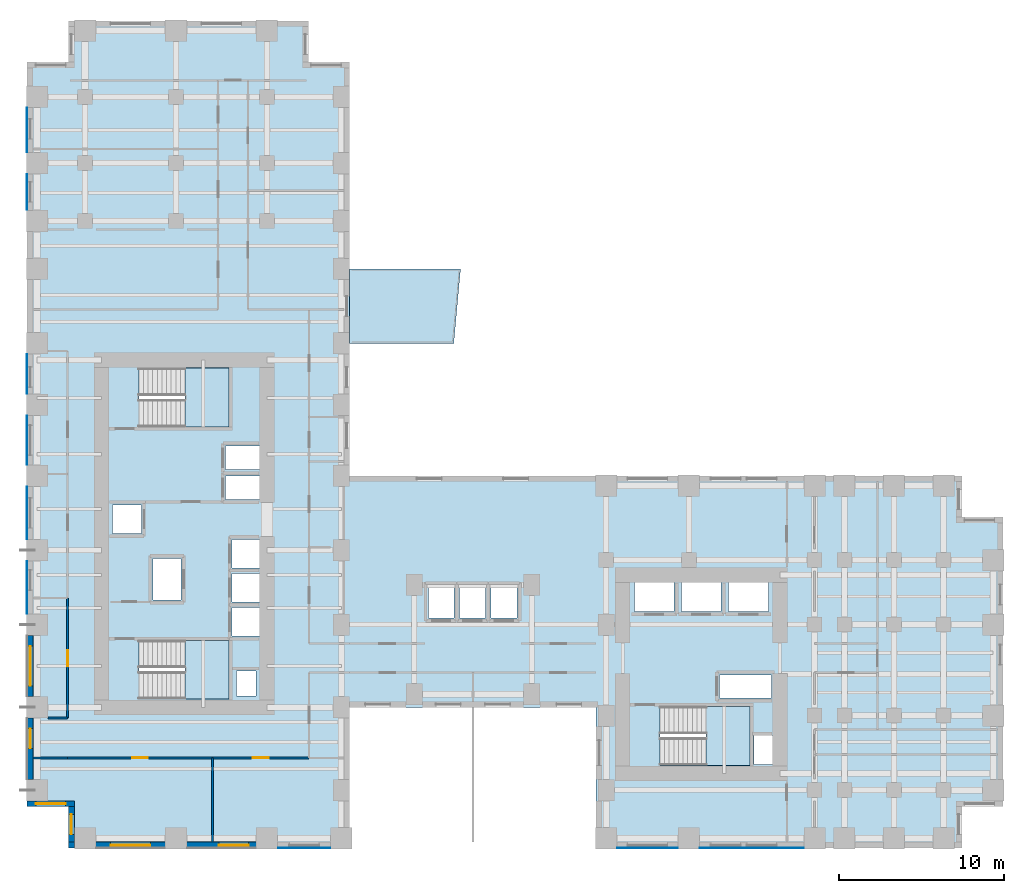
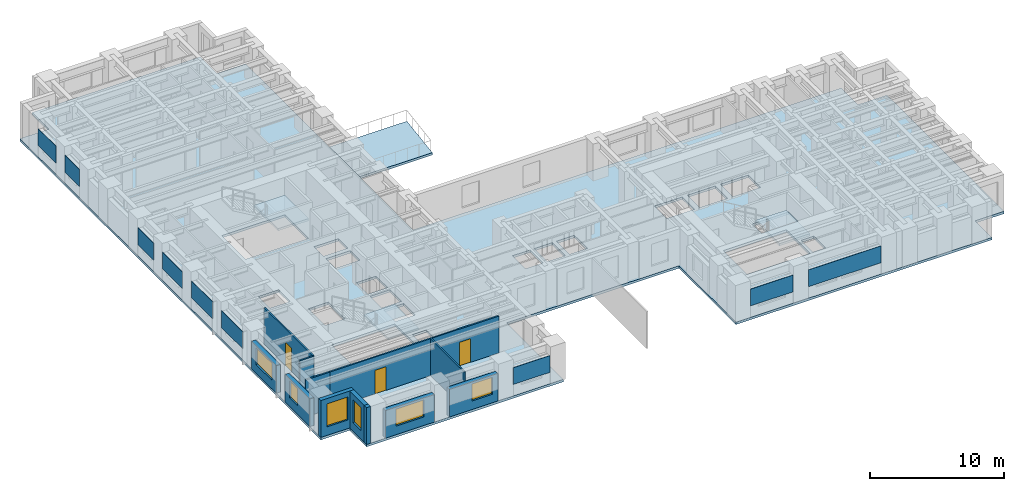
# One storey, part 3 of 12: 13 walls, 9 plates, 6 windows, 5 slabs, 3 doors, 9 openings, 3 elements without a shape of their own.
"""IFC4 building model written with IfcOpenShell, lengths in metres."""

from ifc_helpers import new_model, si_unit, direction, frame, frame_2d, origin, origin_2d, place, context, subcontext, project, spatial, polyline, rectangle, outline, extrude, source, transform, mapped, material, layer, layer_set, type_object, element, fill, aggregate, save


model = new_model("IFC4")

# Units and contexts
model_context = context("Model", 3, precision=1e-05, world=origin(), true_north=direction((0.0, 1.0)))
body_context = subcontext(model_context, "Body", "Model", "MODEL_VIEW")
ifc_project = project(units=[si_unit("LENGTHUNIT", "METRE"), si_unit("AREAUNIT", "SQUARE_METRE"), si_unit("VOLUMEUNIT", "CUBIC_METRE"), si_unit("PLANEANGLEUNIT", "RADIAN"), si_unit("MASSUNIT", "GRAM", prefix="KILO")], contexts=[model_context])

# Site, building, storey
site_placement = place(None, origin())
site = spatial("IfcSite", under=ifc_project, at=site_placement, CompositionType="ELEMENT")
building_placement = place(site_placement, origin())
building = spatial("IfcBuilding", under=site, at=building_placement, Name="Kharzan Plaza Tower", CompositionType="ELEMENT")
storey_placement = place(building_placement, frame((0.0, 0.0, 26.10009765625)))
storey = spatial("IfcBuildingStorey", under=building, at=storey_placement, Name="L06", CompositionType="ELEMENT", Elevation=26.10009765625)

# Slab
ifc_material_1 = material(Name="Concrete C40/50", Category="concrete")
ifc_layer_1 = layer(ifc_material_1, 0.219970703125)
ifc_layer_set_1 = layer_set([ifc_layer_1], Name="Concrete C40/50")
slab_type_1 = type_object("IfcSlabType", Name="SL-FLOOR-220", PredefinedType="FLOOR", material=ifc_layer_set_1)
slab_1_placement = place(storey_placement, frame((0.0, 0.0, -0.22021484375)))
element("IfcSlab", 1, at=slab_1_placement, inside=storey, type_object=slab_type_1, Name="L06 Composite Structural Floor Slab 220 mm", PredefinedType="FLOOR", context=body_context, shape_type="SweptSolid", body=[
    extrude(outline(polyline([(34.39990234375, 22.5), (19.5, 22.5), (19.5, 47.5), (17.0, 47.5), (17.0, 50.0), (2.5, 50.0), (2.5, 47.5), (0.0, 47.5), (0.0, 2.5), (2.5, 2.5), (2.5, 0.0), (19.5, 0.0), (19.5, 8.5), (34.39990234375, 8.5), (34.39990234375, 0.0), (56.5, 0.0), (56.5, 2.5), (59.0, 2.5), (59.0, 20.0), (56.5, 20.0), (56.5, 22.5), (34.39990234375, 22.5)]), holes=[polyline([(13.85009765625, 9.199951171875), (13.85009765625, 10.699951171875), (12.64990234375, 10.699951171875), (12.64990234375, 9.199951171875), (13.85009765625, 9.199951171875)]), polyline([(12.199951171875, 9.0), (12.199951171875, 12.550048828125), (6.75, 12.550048828125), (6.75, 9.0), (12.199951171875, 9.0)]), polyline([(14.10009765625, 12.800048828125), (14.10009765625, 14.530029296875), (12.39990234375, 14.530029296875), (12.39990234375, 12.800048828125), (14.10009765625, 12.800048828125)]), polyline([(14.10009765625, 14.8701171875), (14.10009765625, 16.60009765625), (12.39990234375, 16.60009765625), (12.39990234375, 14.8701171875), (14.10009765625, 14.8701171875)]), polyline([(9.300048828125, 15.0), (9.300048828125, 17.5), (7.60009765625, 17.5), (7.60009765625, 15.0), (9.300048828125, 15.0)]), polyline([(14.10009765625, 16.93994140625), (14.10009765625, 18.64990234375), (12.39990234375, 18.64990234375), (12.39990234375, 16.93994140625), (14.10009765625, 16.93994140625)]), polyline([(6.89990234375, 19.010009765625), (6.89990234375, 20.72998046875), (5.14990234375, 20.72998046875), (5.14990234375, 19.010009765625), (6.89990234375, 19.010009765625)]), polyline([(12.0, 21.070068359375), (14.10009765625, 21.070068359375), (14.10009765625, 22.489990234375), (12.0, 22.489990234375), (12.0, 21.070068359375)]), polyline([(12.0, 22.8701171875), (14.10009765625, 22.8701171875), (14.10009765625, 24.2900390625), (12.0, 24.2900390625), (12.0, 22.8701171875)]), polyline([(12.199951171875, 25.449951171875), (12.199951171875, 29.0), (6.75, 29.0), (6.75, 25.449951171875), (12.199951171875, 25.449951171875)]), polyline([(45.050048828125, 5.050048828125), (45.050048828125, 6.800048828125), (43.949951171875, 6.800048828125), (43.949951171875, 5.050048828125), (45.050048828125, 5.050048828125)]), polyline([(43.699951171875, 5.0), (43.699951171875, 8.550048828125), (38.25, 8.550048828125), (38.25, 5.0), (43.699951171875, 5.0)]), polyline([(41.85009765625, 9.070068359375), (45.0, 9.070068359375), (45.0, 10.469970703125), (41.85009765625, 10.469970703125), (41.85009765625, 9.070068359375)]), polyline([(24.25, 13.89990234375), (25.800048828125, 13.89990234375), (25.800048828125, 15.85009765625), (24.25, 15.85009765625), (24.25, 13.89990234375)]), polyline([(27.699951171875, 13.89990234375), (27.699951171875, 15.85009765625), (26.14990234375, 15.85009765625), (26.14990234375, 13.89990234375), (27.699951171875, 13.89990234375)]), polyline([(29.60009765625, 13.89990234375), (29.60009765625, 15.85009765625), (28.050048828125, 15.85009765625), (28.050048828125, 13.89990234375), (29.60009765625, 13.89990234375)]), polyline([(39.10009765625, 14.300048828125), (39.10009765625, 16.14990234375), (36.699951171875, 16.14990234375), (36.699951171875, 14.300048828125), (39.10009765625, 14.300048828125)]), polyline([(39.550048828125, 14.300048828125), (41.949951171875, 14.300048828125), (41.949951171875, 16.14990234375), (39.550048828125, 16.14990234375), (39.550048828125, 14.300048828125)]), polyline([(42.39990234375, 14.300048828125), (44.800048828125, 14.300048828125), (44.800048828125, 16.14990234375), (42.39990234375, 16.14990234375), (42.39990234375, 14.300048828125)])]), origin(), (0.0, 0.0, 1.0), 0.22021484375),
])

# Stair, slab
stair_type_1 = type_object("IfcStairType", Name="STR-ST-1", PredefinedType="HALF_TURN_STAIR", material=ifc_material_1)
stair_1_placement = place(storey_placement, origin())
stair_1 = element("IfcStair", 2, at=stair_1_placement, inside=storey, type_object=stair_type_1, Name="L06 Protected Exit Stair ST-1", PredefinedType="HALF_TURN_STAIR")
ifc_layer_2 = layer(ifc_material_1, 0.219970703125)
ifc_layer_set_2 = layer_set([ifc_layer_2], Name="Concrete C40/50")
slab_type_2 = type_object("IfcSlabType", Name="SL-LANDING-220", PredefinedType="LANDING", material=ifc_layer_set_2)
slab_2_placement = place(storey_placement, frame((0.0, 0.0, 1.599853515625)))
slab_2 = element("IfcSlab", 3, at=slab_2_placement, type_object=slab_type_2, Name="ST-1 landing 1", PredefinedType="LANDING", context=body_context, shape_type="SweptSolid", body=[
    extrude(outline(polyline([(9.550048828125, 9.0), (12.199951171875, 9.0), (12.199951171875, 12.550048828125), (9.550048828125, 12.550048828125), (9.550048828125, 9.0)])), origin(), (0.0, 0.0, 1.0), 0.199951171875),
])
aggregate(stair_1, [slab_2])

stair_type_2 = type_object("IfcStairType", Name="STR-ST-2", PredefinedType="HALF_TURN_STAIR", material=ifc_material_1)
stair_2_placement = place(storey_placement, origin())
stair_2 = element("IfcStair", 4, at=stair_2_placement, inside=storey, type_object=stair_type_2, Name="L06 Protected Exit Stair ST-2", PredefinedType="HALF_TURN_STAIR")
slab_3_placement = place(storey_placement, frame((0.0, 0.0, 1.599853515625)))
slab_3 = element("IfcSlab", 5, at=slab_3_placement, type_object=slab_type_2, Name="ST-2 landing 1", PredefinedType="LANDING", context=body_context, shape_type="SweptSolid", body=[
    extrude(outline(polyline([(9.550048828125, 25.449951171875), (12.199951171875, 25.449951171875), (12.199951171875, 29.0), (9.550048828125, 29.0), (9.550048828125, 25.449951171875)])), origin(), (0.0, 0.0, 1.0), 0.199951171875),
])
aggregate(stair_2, [slab_3])

stair_type_3 = type_object("IfcStairType", Name="STR-ST-3", PredefinedType="HALF_TURN_STAIR", material=ifc_material_1)
stair_3_placement = place(storey_placement, origin())
stair_3 = element("IfcStair", 6, at=stair_3_placement, inside=storey, type_object=stair_type_3, Name="L06 Protected Exit Stair ST-3", PredefinedType="HALF_TURN_STAIR")
slab_4_placement = place(storey_placement, frame((0.0, 0.0, 1.599853515625)))
slab_4 = element("IfcSlab", 7, at=slab_4_placement, type_object=slab_type_2, Name="ST-3 landing 1", PredefinedType="LANDING", context=body_context, shape_type="SweptSolid", body=[
    extrude(outline(polyline([(41.050048828125, 5.0), (43.699951171875, 5.0), (43.699951171875, 8.550048828125), (41.050048828125, 8.550048828125), (41.050048828125, 5.0)])), origin(), (0.0, 0.0, 1.0), 0.199951171875),
])
aggregate(stair_3, [slab_4])

# Slab
ifc_layer_3 = layer(ifc_material_1, 0.215087890625)
ifc_layer_set_3 = layer_set([ifc_layer_3], Name="Concrete C40/50")
slab_type_3 = type_object("IfcSlabType", Name="SL-TRAY-215", PredefinedType="ROOF", material=ifc_layer_set_3)
slab_5_placement = place(storey_placement, frame((0.0, 0.0, -0.215087890625)))
element("IfcSlab", 8, at=slab_5_placement, inside=storey, type_object=slab_type_3, Name="L06 Sky Terrace Tray Slab", PredefinedType="ROOF", context=body_context, shape_type="SweptSolid", body=[
    extrude(outline(polyline([(19.5, 30.5), (25.7900390625, 30.5), (26.199951171875, 35.0), (19.5, 35.0), (19.5, 30.5)])), origin(), (0.0, 0.0, 1.0), 0.215087890625),
])

# Plates
ifc_material_2 = material(Name="Perforated Bronze-Anodized Aluminium", Category="aluminium")
ifc_layer_4 = layer(ifc_material_2, 0.030029296875)
ifc_layer_set_4 = layer_set([ifc_layer_4], Name="Perforated Bronze-Anodized Aluminium")
plate_type = type_object("IfcPlateType", Name="PLT-MASH-SCREEN", PredefinedType="SHEET", material=ifc_layer_set_4)
shared_shape_1 = source(origin(), body_context, "Body", "SweptSolid", [
    extrude(rectangle(XDim=2.6640625, YDim=0.030029296875, at=origin_2d()), origin(), (0.0, 0.0, 1.0), 1.530029296875),
])
plate_1_placement = place(storey_placement, frame((-0.012939453125, 43.39990234375, 1.06494140625), z_axis=(0.0, 0.0, 1.0), x_axis=(0.0, -1.0, 0.0)))
element("IfcPlate", 9, at=plate_1_placement, inside=storey, type_object=plate_type, Name="L06 Perforated Mashrabiya Solar Screen", PredefinedType="SHEET", context=body_context, shape_type="MappedRepresentation", body=[
    mapped(shared_shape_1, transform((0.0, 0.0, 0.0), x_axis=(1.0, 0.0, 0.0), y_axis=(0.0, 1.0, 0.0), z_axis=(0.0, 0.0, 1.0))),
])
shared_shape_2 = source(origin(), body_context, "Body", "SweptSolid", [
    extrude(rectangle(XDim=2.1640625, YDim=0.030029296875, at=origin_2d()), origin(), (0.0, 0.0, 1.0), 1.530029296875),
])
plate_2_placement = place(storey_placement, frame((-0.012939453125, 39.64990234375, 1.06494140625), z_axis=(0.0, 0.0, 1.0), x_axis=(0.0, -1.0, 0.0)))
element("IfcPlate", 10, at=plate_2_placement, inside=storey, type_object=plate_type, Name="L06 Perforated Mashrabiya Solar Screen", PredefinedType="SHEET", context=body_context, shape_type="MappedRepresentation", body=[
    mapped(shared_shape_2, transform((0.0, 0.0, 0.0), x_axis=(1.0, 0.0, 0.0), y_axis=(0.0, 1.0, 0.0), z_axis=(0.0, 0.0, 1.0))),
])
shared_shape_3 = source(origin(), body_context, "Body", "SweptSolid", [
    extrude(rectangle(XDim=2.364013671875, YDim=0.030029296875, at=origin_2d()), origin(), (0.0, 0.0, 1.0), 1.530029296875),
])
plate_3_placement = place(storey_placement, frame((-0.012939453125, 28.64990234375, 1.06494140625), z_axis=(0.0, 0.0, 1.0), x_axis=(0.0, -1.0, 0.0)))
element("IfcPlate", 11, at=plate_3_placement, inside=storey, type_object=plate_type, Name="L06 Perforated Mashrabiya Solar Screen", PredefinedType="SHEET", context=body_context, shape_type="MappedRepresentation", body=[
    mapped(shared_shape_3, transform((0.0, 0.0, 0.0), x_axis=(1.0, 0.0, 0.0), y_axis=(0.0, 1.0, 0.0), z_axis=(0.0, 0.0, 1.0))),
])
shared_shape_4 = source(origin(), body_context, "Body", "SweptSolid", [
    extrude(rectangle(XDim=2.964111328125, YDim=0.030029296875, at=origin_2d()), origin(), (0.0, 0.0, 1.0), 1.530029296875),
])
plate_4_placement = place(storey_placement, frame((-0.012939453125, 24.64990234375, 1.06494140625), z_axis=(0.0, 0.0, 1.0), x_axis=(0.0, -1.0, 0.0)))
element("IfcPlate", 12, at=plate_4_placement, inside=storey, type_object=plate_type, Name="L06 Perforated Mashrabiya Solar Screen", PredefinedType="SHEET", context=body_context, shape_type="MappedRepresentation", body=[
    mapped(shared_shape_4, transform((0.0, 0.0, 0.0), x_axis=(1.0, 0.0, 0.0), y_axis=(0.0, 1.0, 0.0), z_axis=(0.0, 0.0, 1.0))),
])
shared_shape_5 = source(origin(), body_context, "Body", "SweptSolid", [
    extrude(rectangle(XDim=3.1640625, YDim=0.030029296875, at=origin_2d()), origin(), (0.0, 0.0, 1.0), 1.530029296875),
])
for number, where, z_axis, x_axis, name in (
    (13, (-0.012939453125, 20.25, 1.06494140625), (0.0, 0.0, 1.0), (0.0, -1.0, 0.0), "L06 Perforated Mashrabiya Solar Screen"),
    (14, (-0.012939453125, 15.75, 1.06494140625), (0.0, 0.0, 1.0), (0.0, -1.0, 0.0), "L06 Perforated Mashrabiya Solar Screen"),
    (15, (16.75, -0.012939453125, 1.06494140625), (0.0, 0.0, 1.0), (1.0, 0.0, 0.0), "L06 Perforated Mashrabiya Solar Screen"),
):
    element("IfcPlate", number, at=place(storey_placement, frame(where, z_axis=z_axis, x_axis=x_axis)), inside=storey, type_object=plate_type, Name=name, PredefinedType="SHEET", context=body_context, shape_type="MappedRepresentation", body=[
        mapped(shared_shape_5, transform((0.0, 0.0, 0.0), x_axis=(1.0, 0.0, 0.0), y_axis=(0.0, 1.0, 0.0), z_axis=(0.0, 0.0, 1.0))),
    ])
shared_shape_6 = source(origin(), body_context, "Body", "SweptSolid", [
    extrude(rectangle(XDim=3.6640625, YDim=0.030029296875, at=origin_2d()), origin(), (0.0, 0.0, 1.0), 1.530029296875),
])
plate_5_placement = place(storey_placement, frame((37.5, -0.012939453125, 1.06494140625), z_axis=(0.0, 0.0, 1.0), x_axis=(1.0, 0.0, 0.0)))
element("IfcPlate", 16, at=plate_5_placement, inside=storey, type_object=plate_type, Name="L06 Perforated Mashrabiya Solar Screen", PredefinedType="SHEET", context=body_context, shape_type="MappedRepresentation", body=[
    mapped(shared_shape_6, transform((0.0, 0.0, 0.0), x_axis=(1.0, 0.0, 0.0), y_axis=(0.0, 1.0, 0.0), z_axis=(0.0, 0.0, 1.0))),
])
shared_shape_7 = source(origin(), body_context, "Body", "SweptSolid", [
    extrude(rectangle(XDim=6.263916015625, YDim=0.030029296875, at=origin_2d()), origin(), (0.0, 0.0, 1.0), 1.530029296875),
])
plate_6_placement = place(storey_placement, frame((43.800048828125, -0.012939453125, 1.06494140625), z_axis=(0.0, 0.0, 1.0), x_axis=(1.0, 0.0, 0.0)))
element("IfcPlate", 17, at=plate_6_placement, inside=storey, type_object=plate_type, Name="L06 Perforated Mashrabiya Solar Screen", PredefinedType="SHEET", context=body_context, shape_type="MappedRepresentation", body=[
    mapped(shared_shape_7, transform((0.0, 0.0, 0.0), x_axis=(1.0, 0.0, 0.0), y_axis=(0.0, 1.0, 0.0), z_axis=(0.0, 0.0, 1.0))),
])

# Wall, opening, window
ifc_layer_5 = layer(ifc_material_1, 0.35009765625)
ifc_layer_set_5 = layer_set([ifc_layer_5], Name="Concrete C40/50")
wall_type_1 = type_object("IfcWallType", Name="WL-EXT-MAS-Z1", PredefinedType="SOLIDWALL", material=ifc_layer_set_5)
wall_1_placement = place(storey_placement, frame((0.175048828125, 12.85205078125, 0.0), z_axis=(0.0, 0.0, 1.0), x_axis=(0.0, -1.0, 0.0)))
wall_1 = element("IfcWall", 18, at=wall_1_placement, inside=storey, type_object=wall_type_1, Name="L06 Masonry-Frame Exterior Wall 18", PredefinedType="SOLIDWALL", context=body_context, shape_type="SweptSolid", body=[
    extrude(rectangle(XDim=3.7041015625, YDim=0.35009765625, at=frame_2d((1.85205078125, 0.0))), origin(), (0.0, 0.0, 1.0), 2.510009765625),
])
opening_1_placement = place(wall_1_placement, frame((0.652099609375, 0.0, 0.780029296875)))
opening_1 = element("IfcOpeningElement", 19, at=opening_1_placement, cuts=wall_1, Name="Opening W2", PredefinedType="OPENING", context=body_context, shape_type="SweptSolid", body=[
    extrude(rectangle(XDim=2.39990234375, YDim=1.550048828125, at=frame_2d((1.199951171875, 0.77490234375))), frame((0.0, 0.18505859375, 0.0), z_axis=(0.0, -1.0, 0.0), x_axis=(1.0, 0.0, 0.0)), (0.0, 0.0, 1.0), 0.3701171875),
])
ifc_material_3 = material(Name="Low-E Double Glazing", Category="glass")
window_type_1 = type_object("IfcWindowType", Name="WN-REC-2400x2100", PartitioningType="SINGLE_PANEL", PredefinedType="WINDOW", material=ifc_material_3)
shared_shape_8 = source(origin(), body_context, "Body", "SweptSolid", [
    extrude(rectangle(XDim=2.39990234375, YDim=1.550048828125, at=frame_2d((1.199951171875, 0.77490234375))), frame((0.0, 0.030029296875, 0.0), z_axis=(0.0, -1.0, 0.0), x_axis=(1.0, 0.0, 0.0)), (0.0, 0.0, 1.0), 0.06005859375),
])
window_1_placement = place(opening_1_placement, origin())
window_1 = element("IfcWindow", 20, at=window_1_placement, inside=storey, type_object=window_type_1, Name="L06 Wide Recessed Solar-Control Window 18-1", OverallHeight=1.550048828125, OverallWidth=2.39990234375, PartitioningType="SINGLE_PANEL", PredefinedType="WINDOW", context=body_context, shape_type="MappedRepresentation", body=[
    mapped(shared_shape_8, transform((0.0, 0.0, 0.0), x_axis=(1.0, 0.0, 0.0), y_axis=(0.0, 1.0, 0.0), z_axis=(0.0, 0.0, 1.0))),
])
fill(opening_1, window_1)

wall_2_placement = place(storey_placement, frame((0.175048828125, 7.85205078125, 0.0), z_axis=(0.0, 0.0, 1.0), x_axis=(0.0, -1.0, 0.0)))
wall_2 = element("IfcWall", 21, at=wall_2_placement, inside=storey, type_object=wall_type_1, Name="L06 Masonry-Frame Exterior Wall 19", PredefinedType="SOLIDWALL", context=body_context, shape_type="SweptSolid", body=[
    extrude(rectangle(XDim=3.7041015625, YDim=0.35009765625, at=frame_2d((1.85205078125, 0.0))), origin(), (0.0, 0.0, 1.0), 2.510009765625),
])
opening_2_placement = place(wall_2_placement, frame((0.635986328125, 0.0, 0.780029296875)))
opening_2 = element("IfcOpeningElement", 22, at=opening_2_placement, cuts=wall_2, Name="Opening W3", PredefinedType="OPENING", context=body_context, shape_type="SweptSolid", body=[
    extrude(rectangle(XDim=1.199951171875, YDim=1.550048828125, at=frame_2d((0.60009765625, 0.77490234375))), frame((0.0, 0.18505859375, 0.0), z_axis=(0.0, -1.0, 0.0), x_axis=(1.0, 0.0, 0.0)), (0.0, 0.0, 1.0), 0.3701171875),
])
window_type_2 = type_object("IfcWindowType", Name="WN-REC-1200x2100", PartitioningType="SINGLE_PANEL", PredefinedType="WINDOW", material=ifc_material_3)
shared_shape_9 = source(origin(), body_context, "Body", "SweptSolid", [
    extrude(rectangle(XDim=1.199951171875, YDim=1.550048828125, at=frame_2d((0.60009765625, 0.77490234375))), frame((0.0, 0.030029296875, 0.0), z_axis=(0.0, -1.0, 0.0), x_axis=(1.0, 0.0, 0.0)), (0.0, 0.0, 1.0), 0.06005859375),
])
window_2_placement = place(opening_2_placement, origin())
window_2 = element("IfcWindow", 23, at=window_2_placement, inside=storey, type_object=window_type_2, Name="L06 Recessed Solar-Control Window 19-1", OverallHeight=1.550048828125, OverallWidth=1.199951171875, PartitioningType="SINGLE_PANEL", PredefinedType="WINDOW", context=body_context, shape_type="MappedRepresentation", body=[
    mapped(shared_shape_9, transform((0.0, 0.0, 0.0), x_axis=(1.0, 0.0, 0.0), y_axis=(0.0, 1.0, 0.0), z_axis=(0.0, 0.0, 1.0))),
])
fill(opening_2, window_2)

wall_3_placement = place(storey_placement, frame((0.0, 2.675048828125, 0.0), z_axis=(0.0, 0.0, 1.0), x_axis=(1.0, 0.0, 0.0)))
wall_3 = element("IfcWall", 24, at=wall_3_placement, inside=storey, type_object=wall_type_1, Name="L06 Masonry-Frame Exterior Wall 20", PredefinedType="SOLIDWALL", context=body_context, shape_type="SweptSolid", body=[
    extrude(rectangle(XDim=2.85009765625, YDim=0.35009765625, at=frame_2d((1.425048828125, 0.0))), origin(), (0.0, 0.0, 1.0), 3.364990234375),
])
opening_3_placement = place(wall_3_placement, frame((0.52490234375, 0.0, 0.780029296875)))
opening_3 = element("IfcOpeningElement", 25, at=opening_3_placement, cuts=wall_3, Name="Opening W1", PredefinedType="OPENING", context=body_context, shape_type="SweptSolid", body=[
    extrude(rectangle(XDim=1.800048828125, YDim=2.10009765625, at=frame_2d((0.89990234375, 1.050048828125))), frame((0.0, 0.18505859375, 0.0), z_axis=(0.0, -1.0, 0.0), x_axis=(1.0, 0.0, 0.0)), (0.0, 0.0, 1.0), 0.3701171875),
])
window_type_3 = type_object("IfcWindowType", Name="WN-REC-1800x2100", PartitioningType="SINGLE_PANEL", PredefinedType="WINDOW", material=ifc_material_3)
shared_shape_10 = source(origin(), body_context, "Body", "SweptSolid", [
    extrude(rectangle(XDim=1.800048828125, YDim=2.10009765625, at=frame_2d((0.89990234375, 1.050048828125))), frame((0.0, 0.030029296875, 0.0), z_axis=(0.0, -1.0, 0.0), x_axis=(1.0, 0.0, 0.0)), (0.0, 0.0, 1.0), 0.06005859375),
])
window_3_placement = place(opening_3_placement, origin())
window_3 = element("IfcWindow", 26, at=window_3_placement, inside=storey, type_object=window_type_3, Name="L06 Recessed Solar-Control Window 20-1", OverallHeight=2.10009765625, OverallWidth=1.800048828125, PartitioningType="SINGLE_PANEL", PredefinedType="WINDOW", context=body_context, shape_type="MappedRepresentation", body=[
    mapped(shared_shape_10, transform((0.0, 0.0, 0.0), x_axis=(1.0, 0.0, 0.0), y_axis=(0.0, 1.0, 0.0), z_axis=(0.0, 0.0, 1.0))),
])
fill(opening_3, window_3)

wall_4_placement = place(storey_placement, frame((2.675048828125, 2.501953125, 0.0), z_axis=(0.0, 0.0, 1.0), x_axis=(0.0, -1.0, 0.0)))
wall_4 = element("IfcWall", 27, at=wall_4_placement, inside=storey, type_object=wall_type_1, Name="L06 Masonry-Frame Exterior Wall 21", PredefinedType="SOLIDWALL", context=body_context, shape_type="SweptSolid", body=[
    extrude(rectangle(XDim=2.154052734375, YDim=0.35009765625, at=frame_2d((1.0771484375, 0.0))), origin(), (0.0, 0.0, 1.0), 3.364990234375),
])
opening_4_placement = place(wall_4_placement, frame((0.47705078125, 0.0, 0.780029296875)))
opening_4 = element("IfcOpeningElement", 28, at=opening_4_placement, cuts=wall_4, Name="Opening W3", PredefinedType="OPENING", context=body_context, shape_type="SweptSolid", body=[
    extrude(rectangle(XDim=1.199951171875, YDim=2.10009765625, at=frame_2d((0.60009765625, 1.050048828125))), frame((0.0, 0.18505859375, 0.0), z_axis=(0.0, -1.0, 0.0), x_axis=(1.0, 0.0, 0.0)), (0.0, 0.0, 1.0), 0.3701171875),
])
shared_shape_11 = source(origin(), body_context, "Body", "SweptSolid", [
    extrude(rectangle(XDim=1.199951171875, YDim=2.10009765625, at=frame_2d((0.60009765625, 1.050048828125))), frame((0.0, 0.030029296875, 0.0), z_axis=(0.0, -1.0, 0.0), x_axis=(1.0, 0.0, 0.0)), (0.0, 0.0, 1.0), 0.06005859375),
])
window_4_placement = place(opening_4_placement, origin())
window_4 = element("IfcWindow", 29, at=window_4_placement, inside=storey, type_object=window_type_2, Name="L06 Recessed Solar-Control Window 21-1", OverallHeight=2.10009765625, OverallWidth=1.199951171875, PartitioningType="SINGLE_PANEL", PredefinedType="WINDOW", context=body_context, shape_type="MappedRepresentation", body=[
    mapped(shared_shape_11, transform((0.0, 0.0, 0.0), x_axis=(1.0, 0.0, 0.0), y_axis=(0.0, 1.0, 0.0), z_axis=(0.0, 0.0, 1.0))),
])
fill(opening_4, window_4)

wall_5_placement = place(storey_placement, frame((4.14794921875, 0.175048828125, 0.0), z_axis=(0.0, 0.0, 1.0), x_axis=(1.0, 0.0, 0.0)))
wall_5 = element("IfcWall", 30, at=wall_5_placement, inside=storey, type_object=wall_type_1, Name="L06 Masonry-Frame Exterior Wall 23", PredefinedType="SOLIDWALL", context=body_context, shape_type="SweptSolid", body=[
    extrude(rectangle(XDim=4.2041015625, YDim=0.35009765625, at=frame_2d((2.10205078125, 0.0))), origin(), (0.0, 0.0, 1.0), 2.510009765625),
])
opening_5_placement = place(wall_5_placement, frame((0.902099609375, 0.0, 0.780029296875)))
opening_5 = element("IfcOpeningElement", 31, at=opening_5_placement, cuts=wall_5, Name="Opening W2", PredefinedType="OPENING", context=body_context, shape_type="SweptSolid", body=[
    extrude(rectangle(XDim=2.39990234375, YDim=1.550048828125, at=frame_2d((1.199951171875, 0.77490234375))), frame((0.0, 0.18505859375, 0.0), z_axis=(0.0, -1.0, 0.0), x_axis=(1.0, 0.0, 0.0)), (0.0, 0.0, 1.0), 0.3701171875),
])
window_5_placement = place(opening_5_placement, origin())
window_5 = element("IfcWindow", 32, at=window_5_placement, inside=storey, type_object=window_type_1, Name="L06 Wide Recessed Solar-Control Window 23-1", OverallHeight=1.550048828125, OverallWidth=2.39990234375, PartitioningType="SINGLE_PANEL", PredefinedType="WINDOW", context=body_context, shape_type="MappedRepresentation", body=[
    mapped(shared_shape_8, transform((0.0, 0.0, 0.0), x_axis=(1.0, 0.0, 0.0), y_axis=(0.0, 1.0, 0.0), z_axis=(0.0, 0.0, 1.0))),
])
fill(opening_5, window_5)

wall_6_placement = place(storey_placement, frame((9.64794921875, 0.175048828125, 0.0), z_axis=(0.0, 0.0, 1.0), x_axis=(1.0, 0.0, 0.0)))
wall_6 = element("IfcWall", 33, at=wall_6_placement, inside=storey, type_object=wall_type_1, Name="L06 Masonry-Frame Exterior Wall 24", PredefinedType="SOLIDWALL", context=body_context, shape_type="SweptSolid", body=[
    extrude(rectangle(XDim=4.2041015625, YDim=0.35009765625, at=frame_2d((2.10205078125, 0.0))), origin(), (0.0, 0.0, 1.0), 2.510009765625),
])
opening_6_placement = place(wall_6_placement, frame((1.946044921875, 0.0, 0.780029296875)))
opening_6 = element("IfcOpeningElement", 34, at=opening_6_placement, cuts=wall_6, Name="Opening W1", PredefinedType="OPENING", context=body_context, shape_type="SweptSolid", body=[
    extrude(rectangle(XDim=1.800048828125, YDim=1.550048828125, at=frame_2d((0.89990234375, 0.77490234375))), frame((0.0, 0.18505859375, 0.0), z_axis=(0.0, -1.0, 0.0), x_axis=(1.0, 0.0, 0.0)), (0.0, 0.0, 1.0), 0.3701171875),
])
shared_shape_12 = source(origin(), body_context, "Body", "SweptSolid", [
    extrude(rectangle(XDim=1.800048828125, YDim=1.550048828125, at=frame_2d((0.89990234375, 0.77490234375))), frame((0.0, 0.030029296875, 0.0), z_axis=(0.0, -1.0, 0.0), x_axis=(1.0, 0.0, 0.0)), (0.0, 0.0, 1.0), 0.06005859375),
])
window_6_placement = place(opening_6_placement, origin())
window_6 = element("IfcWindow", 35, at=window_6_placement, inside=storey, type_object=window_type_3, Name="L06 Recessed Solar-Control Window 24-1", OverallHeight=1.550048828125, OverallWidth=1.800048828125, PartitioningType="SINGLE_PANEL", PredefinedType="WINDOW", context=body_context, shape_type="MappedRepresentation", body=[
    mapped(shared_shape_12, transform((0.0, 0.0, 0.0), x_axis=(1.0, 0.0, 0.0), y_axis=(0.0, 1.0, 0.0), z_axis=(0.0, 0.0, 1.0))),
])
fill(opening_6, window_6)

# Wall, opening, door
ifc_material_4 = material(Name="Fire-Rated Gypsum Board Partition", Category="gypsum")
ifc_layer_6 = layer(ifc_material_4, 0.125)
ifc_layer_set_6 = layer_set([ifc_layer_6], Name="Fire-Rated Gypsum Board Partition")
wall_type_2 = type_object("IfcWallType", Name="WL-INT-PART-125", PredefinedType="PARTITIONING", material=ifc_layer_set_6)
wall_7_placement = place(storey_placement, frame((2.449951171875, 5.449951171875, 0.0), z_axis=(0.0, 0.0, 1.0), x_axis=(1.0, 0.0, 0.0)))
wall_7 = element("IfcWall", 36, at=wall_7_placement, inside=storey, type_object=wall_type_2, Name="L06 Interior Partition SH-SS-1", PredefinedType="PARTITIONING", context=body_context, shape_type="SweptSolid", body=[
    extrude(rectangle(XDim=8.756103515625, YDim=0.125, at=frame_2d((4.3779296875, 0.0))), origin(), (0.0, 0.0, 1.0), 3.364990234375),
])
opening_7_placement = place(wall_7_placement, frame((3.903076171875, 0.0, 0.0)))
opening_7 = element("IfcOpeningElement", 37, at=opening_7_placement, cuts=wall_7, Name="Opening OD1", PredefinedType="OPENING", context=body_context, shape_type="SweptSolid", body=[
    extrude(rectangle(XDim=0.949951171875, YDim=2.14990234375, at=frame_2d((0.47509765625, 1.074951171875))), frame((0.0, 0.072509765625, 0.0), z_axis=(0.0, -1.0, 0.0), x_axis=(1.0, 0.0, 0.0)), (0.0, 0.0, 1.0), 0.14501953125),
])
ifc_material_5 = material(Name="Acoustic Solid-Core Stained Oak", Category="timber")
door_type = type_object("IfcDoorType", Name="DR-OFF-SINGLE", OperationType="NOTDEFINED", PredefinedType="DOOR", material=ifc_material_5)
shared_shape_13 = source(origin(), body_context, "Body", "SweptSolid", [
    extrude(rectangle(XDim=0.949951171875, YDim=2.14990234375, at=frame_2d((0.47509765625, 1.074951171875))), frame((0.0, 0.02490234375, 0.0), z_axis=(0.0, -1.0, 0.0), x_axis=(1.0, 0.0, 0.0)), (0.0, 0.0, 1.0), 0.050048828125),
])
door_1_placement = place(opening_7_placement, origin())
door_1 = element("IfcDoor", 38, at=door_1_placement, inside=storey, type_object=door_type, Name="L06 Design Review Briefing Room Door", OperationType="SINGLE_SWING_LEFT", OverallHeight=2.14990234375, OverallWidth=0.949951171875, PredefinedType="DOOR", context=body_context, shape_type="MappedRepresentation", body=[
    mapped(shared_shape_13, transform((0.0, 0.0, 0.0), x_axis=(1.0, 0.0, 0.0), y_axis=(0.0, 1.0, 0.0), z_axis=(0.0, 0.0, 1.0))),
])
fill(opening_7, door_1)

wall_8_placement = place(storey_placement, frame((11.2060546875, 5.449951171875, 0.0), z_axis=(0.0, 0.0, 1.0), x_axis=(1.0, 0.0, 0.0)))
wall_8 = element("IfcWall", 39, at=wall_8_placement, inside=storey, type_object=wall_type_2, Name="L06 Interior Partition SH-SS-2", PredefinedType="PARTITIONING", context=body_context, shape_type="SweptSolid", body=[
    extrude(rectangle(XDim=5.843994140625, YDim=0.125, at=frame_2d((2.921875, 0.0))), origin(), (0.0, 0.0, 1.0), 3.364990234375),
])
opening_8_placement = place(wall_8_placement, frame((2.447021484375, 0.0, 0.0)))
opening_8 = element("IfcOpeningElement", 40, at=opening_8_placement, cuts=wall_8, Name="Opening OD1", PredefinedType="OPENING", context=body_context, shape_type="SweptSolid", body=[
    extrude(rectangle(XDim=0.949951171875, YDim=2.14990234375, at=frame_2d((0.47509765625, 1.074951171875))), frame((0.0, 0.072509765625, 0.0), z_axis=(0.0, -1.0, 0.0), x_axis=(1.0, 0.0, 0.0)), (0.0, 0.0, 1.0), 0.14501953125),
])
door_2_placement = place(opening_8_placement, origin())
door_2 = element("IfcDoor", 41, at=door_2_placement, inside=storey, type_object=door_type, Name="L06 Client Presentation Room Door", OperationType="SINGLE_SWING_RIGHT", OverallHeight=2.14990234375, OverallWidth=0.949951171875, PredefinedType="DOOR", context=body_context, shape_type="MappedRepresentation", body=[
    mapped(shared_shape_13, transform((0.0, 0.0, 0.0), x_axis=(1.0, 0.0, 0.0), y_axis=(0.0, 1.0, 0.0), z_axis=(0.0, 0.0, 1.0))),
])
fill(opening_8, door_2)

wall_9_placement = place(storey_placement, frame((2.449951171875, 7.85009765625, 0.0), z_axis=(0.0, 0.0, 1.0), x_axis=(0.0, 1.0, 0.0)))
wall_9 = element("IfcWall", 42, at=wall_9_placement, inside=storey, type_object=wall_type_2, Name="L06 Interior Partition SH-WW-1", PredefinedType="PARTITIONING", context=body_context, shape_type="SweptSolid", body=[
    extrude(rectangle(XDim=7.25, YDim=0.125, at=frame_2d((3.625, 0.0))), origin(), (0.0, 0.0, 1.0), 3.364990234375),
])
opening_9_placement = place(wall_9_placement, frame((3.14990234375, 0.0, 0.0)))
opening_9 = element("IfcOpeningElement", 43, at=opening_9_placement, cuts=wall_9, Name="Opening OD1", PredefinedType="OPENING", context=body_context, shape_type="SweptSolid", body=[
    extrude(rectangle(XDim=0.949951171875, YDim=2.14990234375, at=frame_2d((0.47509765625, 1.074951171875))), frame((0.0, 0.072509765625, 0.0), z_axis=(0.0, -1.0, 0.0), x_axis=(1.0, 0.0, 0.0)), (0.0, 0.0, 1.0), 0.14501953125),
])
door_3_placement = place(opening_9_placement, origin())
door_3 = element("IfcDoor", 44, at=door_3_placement, inside=storey, type_object=door_type, Name="L06 Cartography Drafting Studio Door", OperationType="SINGLE_SWING_RIGHT", OverallHeight=2.14990234375, OverallWidth=0.949951171875, PredefinedType="DOOR", context=body_context, shape_type="MappedRepresentation", body=[
    mapped(shared_shape_13, transform((0.0, 0.0, 0.0), x_axis=(1.0, 0.0, 0.0), y_axis=(0.0, 1.0, 0.0), z_axis=(0.0, 0.0, 1.0))),
])
fill(opening_9, door_3)

# Walls
shared_shape_14 = source(origin(), body_context, "Body", "SweptSolid", [
    extrude(rectangle(XDim=0.35205078125, YDim=0.35009765625, at=frame_2d((0.176025390625, 0.0))), origin(), (0.0, 0.0, 1.0), 3.364990234375),
])
wall_10_placement = place(storey_placement, frame((2.5, 0.175048828125, 0.0), z_axis=(0.0, 0.0, 1.0), x_axis=(1.0, 0.0, 0.0)))
element("IfcWall", 45, at=wall_10_placement, inside=storey, type_object=wall_type_1, Name="L06 Masonry-Frame Exterior Wall 22", PredefinedType="SOLIDWALL", context=body_context, shape_type="MappedRepresentation", body=[
    mapped(shared_shape_14, transform((0.0, 0.0, 0.0), x_axis=(1.0, 0.0, 0.0), y_axis=(0.0, 1.0, 0.0), z_axis=(0.0, 0.0, 1.0))),
])
shared_shape_15 = source(origin(), body_context, "Body", "SweptSolid", [
    extrude(rectangle(XDim=1.18994140625, YDim=0.125, at=frame_2d((0.594970703125, 0.0))), origin(), (0.0, 0.0, 1.0), 3.364990234375),
])
wall_11_placement = place(storey_placement, frame((1.260009765625, 7.85009765625, 0.0), z_axis=(0.0, 0.0, 1.0), x_axis=(1.0, 0.0, 0.0)))
element("IfcWall", 46, at=wall_11_placement, inside=storey, type_object=wall_type_2, Name="L06 Interior Partition SH-RWS0", PredefinedType="PARTITIONING", context=body_context, shape_type="MappedRepresentation", body=[
    mapped(shared_shape_15, transform((0.0, 0.0, 0.0), x_axis=(1.0, 0.0, 0.0), y_axis=(0.0, 1.0, 0.0), z_axis=(0.0, 0.0, 1.0))),
])
shared_shape_16 = source(origin(), body_context, "Body", "SweptSolid", [
    extrude(rectangle(XDim=2.097900390625, YDim=0.125, at=frame_2d((1.048828125, 0.0))), origin(), (0.0, 0.0, 1.0), 3.364990234375),
])
wall_12_placement = place(storey_placement, frame((0.35205078125, 5.449951171875, 0.0), z_axis=(0.0, 0.0, 1.0), x_axis=(1.0, 0.0, 0.0)))
element("IfcWall", 47, at=wall_12_placement, inside=storey, type_object=wall_type_2, Name="L06 Interior Partition SH-SS-EXT", PredefinedType="PARTITIONING", context=body_context, shape_type="MappedRepresentation", body=[
    mapped(shared_shape_16, transform((0.0, 0.0, 0.0), x_axis=(1.0, 0.0, 0.0), y_axis=(0.0, 1.0, 0.0), z_axis=(0.0, 0.0, 1.0))),
])
shared_shape_17 = source(origin(), body_context, "Body", "SweptSolid", [
    extrude(rectangle(XDim=5.097900390625, YDim=0.125, at=frame_2d((2.548828125, 0.0))), origin(), (0.0, 0.0, 1.0), 3.364990234375),
])
wall_13_placement = place(storey_placement, frame((11.2060546875, 0.35205078125, 0.0), z_axis=(0.0, 0.0, 1.0), x_axis=(0.0, 1.0, 0.0)))
element("IfcWall", 48, at=wall_13_placement, inside=storey, type_object=wall_type_2, Name="L06 Interior Partition SH-SV-1", PredefinedType="PARTITIONING", context=body_context, shape_type="MappedRepresentation", body=[
    mapped(shared_shape_17, transform((0.0, 0.0, 0.0), x_axis=(1.0, 0.0, 0.0), y_axis=(0.0, 1.0, 0.0), z_axis=(0.0, 0.0, 1.0))),
])

save(model, "model.ifc")
